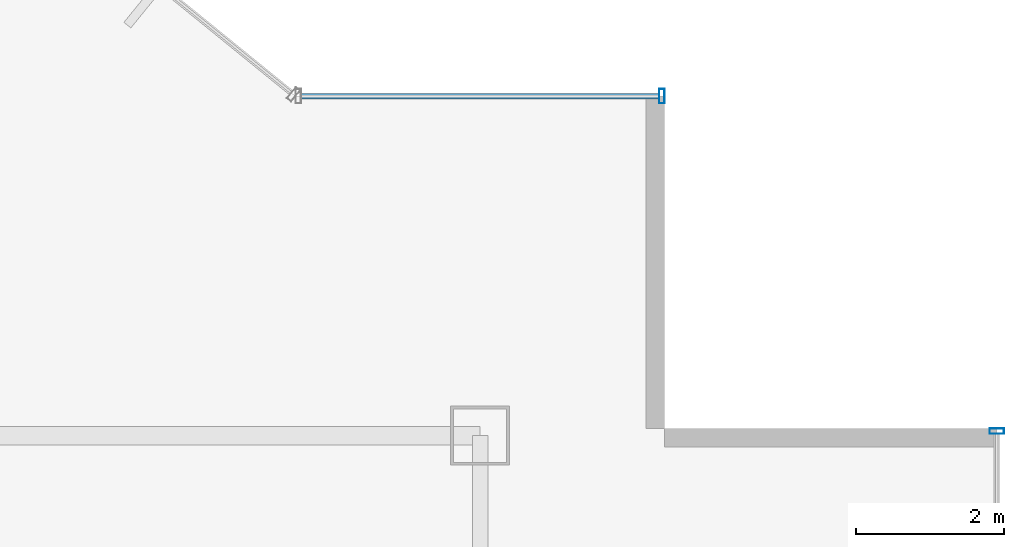
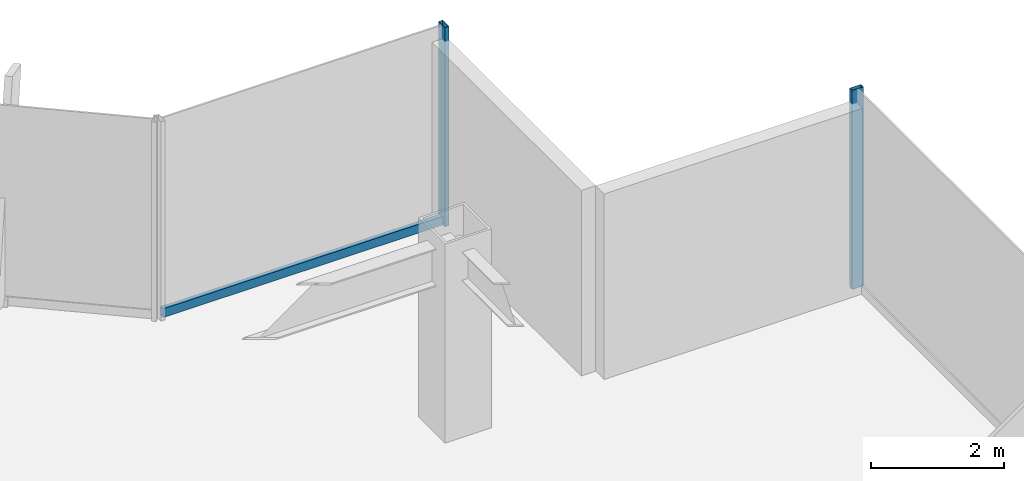
# One storey, part 19 of 26: 3 members, 2 elements without a shape of their own.
"""IFC4 building model written with IfcOpenShell, lengths in metres."""

from ifc_helpers import new_model, si_unit, derived_unit, direction, frame, origin, origin_2d, place, context, subcontext, project, spatial, hollow_rectangle, extrude, source, transform, mapped, material, material_profile, profile_set, type_object, element, aggregate, save


model = new_model("IFC4")

# Units and contexts
model_context = context("Model", 3, precision=1e-05, world=origin(), true_north=direction((0.0, 1.0)))
body_context = subcontext(model_context, "Body", "Model", "MODEL_VIEW")
ifc_project = project(units=[si_unit("LENGTHUNIT", "METRE"), si_unit("AREAUNIT", "SQUARE_METRE"), si_unit("VOLUMEUNIT", "CUBIC_METRE"), si_unit("PLANEANGLEUNIT", "RADIAN"), si_unit("MASSUNIT", "GRAM", prefix="KILO"), derived_unit("THERMALTRANSMITTANCEUNIT", [(si_unit("POWERUNIT", "WATT"), 1), (si_unit("LENGTHUNIT", "METRE"), -2), (si_unit("THERMODYNAMICTEMPERATUREUNIT", "KELVIN"), -1)])], contexts=[model_context])

# Site, building, storey
site_placement = place(None, origin())
site = spatial("IfcSite", under=ifc_project, at=site_placement, CompositionType="ELEMENT")
building_placement = place(site_placement, origin())
building = spatial("IfcBuilding", under=site, at=building_placement, Name="Skarnbrae Concourse Arena and Tower", CompositionType="ELEMENT")
storey_placement = place(building_placement, frame((0.0, 0.0, 106.89990234375)))
storey = spatial("IfcBuildingStorey", under=building, at=storey_placement, Name="L26", CompositionType="ELEMENT", Elevation=106.89990234375)

# Curtain wall, member
ifc_material = material(Name="Bronze anodised aluminium 6063-T6", Category="aluminium")
curtain_wall_type = type_object("IfcCurtainWallType", Name="CW-SYS-04-MIDZONE", PredefinedType="USERDEFINED", material=ifc_material)
curtain_wall_1_placement = place(storey_placement, origin())
curtain_wall_1 = element("IfcCurtainWall", 1, at=curtain_wall_1_placement, inside=storey, type_object=curtain_wall_type, Name="L26 Unitised curtain wall CW-L26-E04", ObjectType="UNITISED CURTAIN WALL", PredefinedType="USERDEFINED")
ifc_material_profile_1 = material_profile(ifc_material, hollow_rectangle(XDim=0.074951171875, YDim=0.195068359375, WallThickness=0.00439453125, at=origin_2d()), Name="ALU-MULL-75X195")
ifc_profile_set_1 = profile_set([ifc_material_profile_1], Name="Bronze anodised aluminium 6063-T6")
member_type_1 = type_object("IfcMemberType", Name="CWM-CW-04", PredefinedType="MULLION", material=ifc_profile_set_1)
shared_shape_1 = source(origin(), body_context, "Body", "SweptSolid", [
    extrude(hollow_rectangle(XDim=0.074951171875, YDim=0.195068359375, WallThickness=0.00439453125, at=origin_2d()), origin(), (0.0, 0.0, 1.0), 3.650146484375),
])
member_1_placement = place(storey_placement, frame((56.0, 34.46240234375, 0.0), z_axis=(0.0, 0.0, 1.0), x_axis=(0.0, 1.0, 0.0)))
member_1 = element("IfcMember", 2, at=member_1_placement, type_object=member_type_1, Name="CW-L26-E04 Mullion 5", PredefinedType="MULLION", context=body_context, shape_type="MappedRepresentation", body=[
    mapped(shared_shape_1, transform((0.0, 0.0, 0.0))),
])
aggregate(curtain_wall_1, [member_1])

# Curtain wall, members
curtain_wall_2_placement = place(storey_placement, origin())
curtain_wall_2 = element("IfcCurtainWall", 3, at=curtain_wall_2_placement, inside=storey, type_object=curtain_wall_type, Name="L26 Unitised curtain wall CW-L26-E07", ObjectType="UNITISED CURTAIN WALL", PredefinedType="USERDEFINED")
member_2_placement = place(storey_placement, frame((51.46240234375, 39.0, 0.0), z_axis=(0.0, 0.0, 1.0), x_axis=(-1.0, 0.0, 0.0)))
member_2 = element("IfcMember", 4, at=member_2_placement, type_object=member_type_1, Name="CW-L26-E07 Mullion 1", PredefinedType="MULLION", context=body_context, shape_type="MappedRepresentation", body=[
    mapped(shared_shape_1, transform((0.0, 0.0, 0.0))),
])
ifc_material_profile_2 = material_profile(ifc_material, hollow_rectangle(XDim=0.074951171875, YDim=0.159912109375, WallThickness=0.00439453125, at=origin_2d()), Name="ALU-TRAN-75X160")
ifc_profile_set_2 = profile_set([ifc_material_profile_2], Name="Bronze anodised aluminium 6063-T6")
member_type_2 = type_object("IfcMemberType", Name="CWT-CW-04", PredefinedType="USERDEFINED", material=ifc_profile_set_2)
shared_shape_2 = source(origin(), body_context, "Body", "SweptSolid", [
    extrude(hollow_rectangle(XDim=0.074951171875, YDim=0.159912109375, WallThickness=0.00439453125, at=origin_2d()), origin(), (0.0, 0.0, 1.0), 4.85009765625),
])
member_3_placement = place(storey_placement, frame((51.425048828125, 39.0, 0.080078125), z_axis=(-1.0, 0.0, 0.0), x_axis=(0.0, -1.0, 0.0)))
member_3 = element("IfcMember", 5, at=member_3_placement, type_object=member_type_2, Name="CW-L26-E07 Transom 1", ObjectType="TRANSOM", PredefinedType="USERDEFINED", context=body_context, shape_type="MappedRepresentation", body=[
    mapped(shared_shape_2, transform((0.0, 0.0, 0.0))),
])
aggregate(curtain_wall_2, [member_2, member_3])

save(model, "model.ifc")
